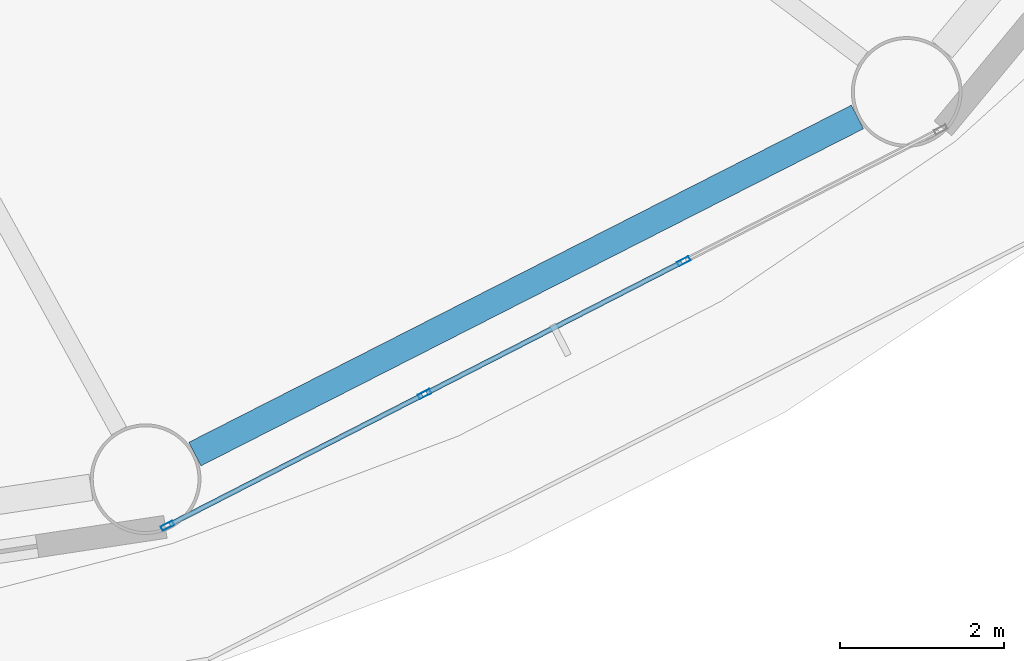
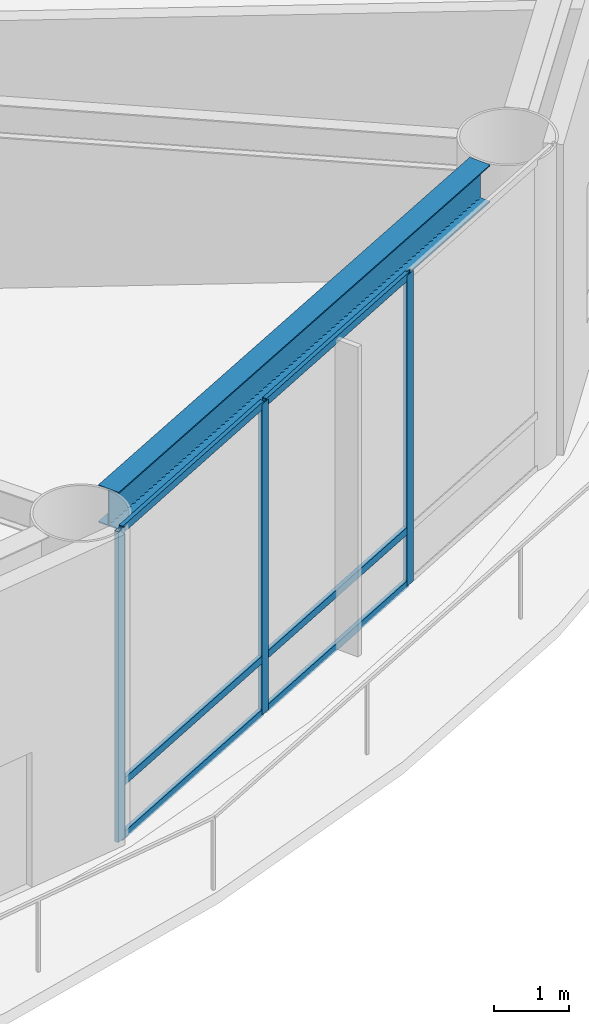
# One storey, part 5 of 25: 9 members, 1 beam, 1 element without a shape of its own.
"""IFC4 building model written with IfcOpenShell, lengths in metres."""

from ifc_helpers import new_model, si_unit, direction, frame, origin, origin_2d, place, context, subcontext, project, spatial, hollow_rectangle, i_section, extrude, material, layer, layer_set, material_profile, profile_set, type_object, element, aggregate, save


model = new_model("IFC4")

# Units and contexts
model_context = context("Model", 3, precision=1e-05, world=origin(), true_north=direction((0.0, 1.0)))
body_context = subcontext(model_context, "Body", "Model", "MODEL_VIEW")
ifc_project = project(units=[si_unit("LENGTHUNIT", "METRE"), si_unit("AREAUNIT", "SQUARE_METRE"), si_unit("VOLUMEUNIT", "CUBIC_METRE"), si_unit("PLANEANGLEUNIT", "RADIAN"), si_unit("MASSUNIT", "GRAM", prefix="KILO")], contexts=[model_context])

# Site, building, storey
site_placement = place(None, origin())
site = spatial("IfcSite", under=ifc_project, at=site_placement, CompositionType="ELEMENT")
building_placement = place(site_placement, origin())
building = spatial("IfcBuilding", under=site, at=building_placement, Name="Sarneth Arch Tower", CompositionType="ELEMENT")
storey_placement = place(building_placement, frame((0.0, 0.0, 134.39990234375)))
storey = spatial("IfcBuildingStorey", under=building, at=storey_placement, Name="L34", CompositionType="ELEMENT", Elevation=134.39990234375)

# Beam
ifc_material_1 = material(Name="Steel S355", Category="steel")
ifc_material_profile_1 = material_profile(ifc_material_1, i_section(OverallWidth=0.323974609375, OverallDepth=0.611083984375, WebThickness=0.0126953125, FlangeThickness=0.01904296875, FilletRadius=0.01904296875, at=origin_2d()), Name="W610x155")
ifc_profile_set_1 = profile_set([ifc_material_profile_1], Name="Steel S355")
beam_type = type_object("IfcBeamType", Name="BM-SPAN-610B", PredefinedType="SPANDREL", material=ifc_profile_set_1)
beam_placement = place(storey_placement, frame((59.7119140625, 22.16552734375, 4.74462890625), z_axis=(0.891255891792, 0.453500755619, 0.0), x_axis=(-0.453500755619, 0.891255891792, 0.0)))
element("IfcBeam", 1, at=beam_placement, inside=storey, type_object=beam_type, Name="L34 Perimeter spandrel beam 14", PredefinedType="SPANDREL", context=body_context, shape_type="SweptSolid", body=[
    extrude(i_section(OverallWidth=0.323974609375, OverallDepth=0.611083984375, WebThickness=0.0126953125, FlangeThickness=0.01904296875, FilletRadius=0.01904296875, at=origin_2d()), origin(), (0.0, 0.0, 1.0), 9.070556640625),
])

# Curtain wall, members
ifc_material_2 = material(Name="Anodised aluminium Type AA25 and solar-control low-e laminated IGU", Category="aluminium")
ifc_layer = layer(ifc_material_2, 0.159912109375)
ifc_layer_set = layer_set([ifc_layer], Name="Anodised aluminium Type AA25 and solar-control low-e laminated IGU")
curtain_wall_type = type_object("IfcCurtainWallType", Name="CW-HOTEL-MID", PredefinedType="NOTDEFINED", material=ifc_layer_set)
curtain_wall_placement = place(storey_placement, origin())
curtain_wall = element("IfcCurtainWall", 2, at=curtain_wall_placement, inside=storey, type_object=curtain_wall_type, Name="L34 Unitised curtain wall facet 14", PredefinedType="NOTDEFINED")
ifc_material_3 = material(Name="Anodised Aluminium 6063-T6", Category="aluminium")
ifc_material_profile_2 = material_profile(ifc_material_3, hollow_rectangle(XDim=0.06005859375, YDim=0.159912109375, WallThickness=0.00390625, at=origin_2d()), Name="AL-MULL-160x60x4")
ifc_profile_set_2 = profile_set([ifc_material_profile_2], Name="Anodised Aluminium 6063-T6")
member_type_1 = type_object("IfcMemberType", Name="CW-MULLION", PredefinedType="MULLION", material=ifc_profile_set_2)
member_1_placement = place(storey_placement, frame((59.3779296875, 21.291015625, 0.0), z_axis=(0.0, 0.0, 1.0), x_axis=(-0.456031365356, 0.889963703649, 0.0)))
member_1 = element("IfcMember", 3, at=member_1_placement, type_object=member_type_1, Name="CW-SYS-4 mullion 1", PredefinedType="MULLION", context=body_context, shape_type="SweptSolid", body=[
    extrude(hollow_rectangle(XDim=0.06005859375, YDim=0.159912109375, WallThickness=0.00390625, at=origin_2d()), origin(), (0.0, 0.0, 1.0), 5.050048828125),
])
member_2_placement = place(storey_placement, frame((62.51416015625, 22.898193359375, 0.0), z_axis=(0.0, 0.0, 1.0), x_axis=(-0.456031365356, 0.889963703649, 0.0)))
member_2 = element("IfcMember", 4, at=member_2_placement, type_object=member_type_1, Name="CW-SYS-4 mullion 2", PredefinedType="MULLION", context=body_context, shape_type="SweptSolid", body=[
    extrude(hollow_rectangle(XDim=0.06005859375, YDim=0.159912109375, WallThickness=0.00390625, at=origin_2d()), origin(), (0.0, 0.0, 1.0), 5.050048828125),
])
member_3_placement = place(storey_placement, frame((65.677001953125, 24.518798828125, 0.0), z_axis=(0.0, 0.0, 1.0), x_axis=(-0.456031365356, 0.889963703649, 0.0)))
member_3 = element("IfcMember", 5, at=member_3_placement, type_object=member_type_1, Name="CW-SYS-4 mullion 3", PredefinedType="MULLION", context=body_context, shape_type="SweptSolid", body=[
    extrude(hollow_rectangle(XDim=0.06005859375, YDim=0.159912109375, WallThickness=0.00390625, at=origin_2d()), origin(), (0.0, 0.0, 1.0), 5.050048828125),
])
ifc_material_4 = material(Name="Anodised Aluminium 6063-T6", Category="aluminium")
ifc_material_profile_3 = material_profile(ifc_material_4, hollow_rectangle(XDim=0.06005859375, YDim=0.1201171875, WallThickness=0.00390625, at=origin_2d()), Name="AL-TRAN-120x60x4")
ifc_profile_set_3 = profile_set([ifc_material_profile_3], Name="Anodised Aluminium 6063-T6")
member_type_2 = type_object("IfcMemberType", Name="CW-TRANSOM", PredefinedType="USERDEFINED", material=ifc_profile_set_3)
member_4_placement = place(storey_placement, frame((59.404541015625, 21.3046875, 0.030029296875), z_axis=(0.889957563627, 0.456043347658, 0.0), x_axis=(-0.456043347658, 0.889957563627, 0.0)))
member_4 = element("IfcMember", 6, at=member_4_placement, type_object=member_type_2, Name="CW-SYS-4 transom 1.1", ObjectType="TRANSOM", PredefinedType="USERDEFINED", context=body_context, shape_type="SweptSolid", body=[
    extrude(hollow_rectangle(XDim=0.06005859375, YDim=0.1201171875, WallThickness=0.00390625, at=origin_2d()), origin(), (0.0, 0.0, 1.0), 3.464111328125),
])
member_5_placement = place(storey_placement, frame((59.404541015625, 21.3046875, 0.900146484375), z_axis=(0.889957563627, 0.456043347658, 0.0), x_axis=(-0.456043347658, 0.889957563627, 0.0)))
member_5 = element("IfcMember", 7, at=member_5_placement, type_object=member_type_2, Name="CW-SYS-4 transom 1.2", ObjectType="TRANSOM", PredefinedType="USERDEFINED", context=body_context, shape_type="SweptSolid", body=[
    extrude(hollow_rectangle(XDim=0.06005859375, YDim=0.1201171875, WallThickness=0.00390625, at=origin_2d()), origin(), (0.0, 0.0, 1.0), 3.464111328125),
])
member_6_placement = place(storey_placement, frame((59.404541015625, 21.3046875, 5.02001953125), z_axis=(0.889957563627, 0.456043347658, 0.0), x_axis=(-0.456043347658, 0.889957563627, 0.0)))
member_6 = element("IfcMember", 8, at=member_6_placement, type_object=member_type_2, Name="CW-SYS-4 transom 1.3", ObjectType="TRANSOM", PredefinedType="USERDEFINED", context=body_context, shape_type="SweptSolid", body=[
    extrude(hollow_rectangle(XDim=0.06005859375, YDim=0.1201171875, WallThickness=0.00390625, at=origin_2d()), origin(), (0.0, 0.0, 1.0), 3.464111328125),
])
member_7_placement = place(storey_placement, frame((62.540771484375, 22.911865234375, 0.030029296875), z_axis=(0.889981813856, 0.455996020823, 0.0), x_axis=(-0.455996020823, 0.889981813856, 0.0)))
member_7 = element("IfcMember", 9, at=member_7_placement, type_object=member_type_2, Name="CW-SYS-4 transom 2.1", ObjectType="TRANSOM", PredefinedType="USERDEFINED", context=body_context, shape_type="SweptSolid", body=[
    extrude(hollow_rectangle(XDim=0.06005859375, YDim=0.1201171875, WallThickness=0.00390625, at=origin_2d()), origin(), (0.0, 0.0, 1.0), 3.494140625),
])
member_8_placement = place(storey_placement, frame((62.540771484375, 22.911865234375, 0.900146484375), z_axis=(0.889981813856, 0.455996020823, 0.0), x_axis=(-0.455996020823, 0.889981813856, 0.0)))
member_8 = element("IfcMember", 10, at=member_8_placement, type_object=member_type_2, Name="CW-SYS-4 transom 2.2", ObjectType="TRANSOM", PredefinedType="USERDEFINED", context=body_context, shape_type="SweptSolid", body=[
    extrude(hollow_rectangle(XDim=0.06005859375, YDim=0.1201171875, WallThickness=0.00390625, at=origin_2d()), origin(), (0.0, 0.0, 1.0), 3.494140625),
])
member_9_placement = place(storey_placement, frame((62.540771484375, 22.911865234375, 5.02001953125), z_axis=(0.889981813856, 0.455996020823, 0.0), x_axis=(-0.455996020823, 0.889981813856, 0.0)))
member_9 = element("IfcMember", 11, at=member_9_placement, type_object=member_type_2, Name="CW-SYS-4 transom 2.3", ObjectType="TRANSOM", PredefinedType="USERDEFINED", context=body_context, shape_type="SweptSolid", body=[
    extrude(hollow_rectangle(XDim=0.06005859375, YDim=0.1201171875, WallThickness=0.00390625, at=origin_2d()), origin(), (0.0, 0.0, 1.0), 3.494140625),
])
aggregate(curtain_wall, [member_1, member_2, member_3, member_4, member_5, member_6, member_7, member_8, member_9])

save(model, "model.ifc")
